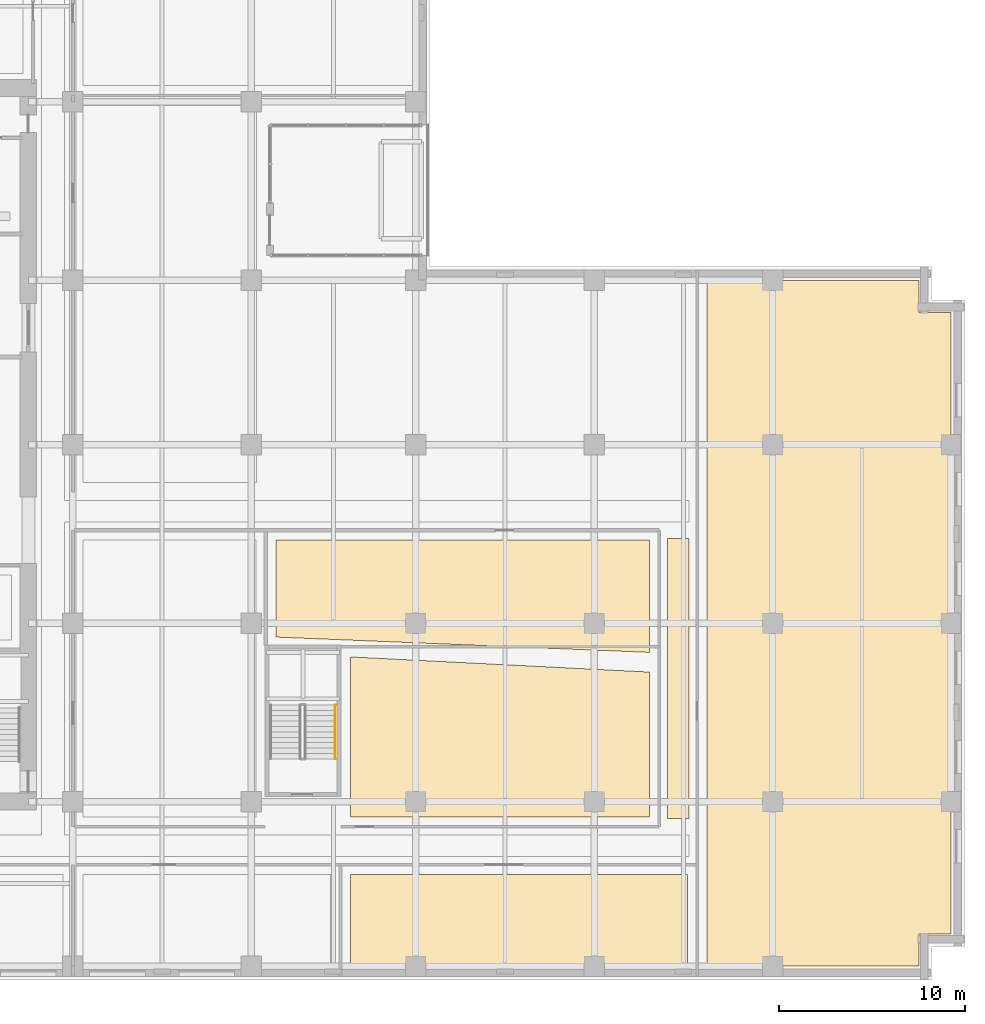
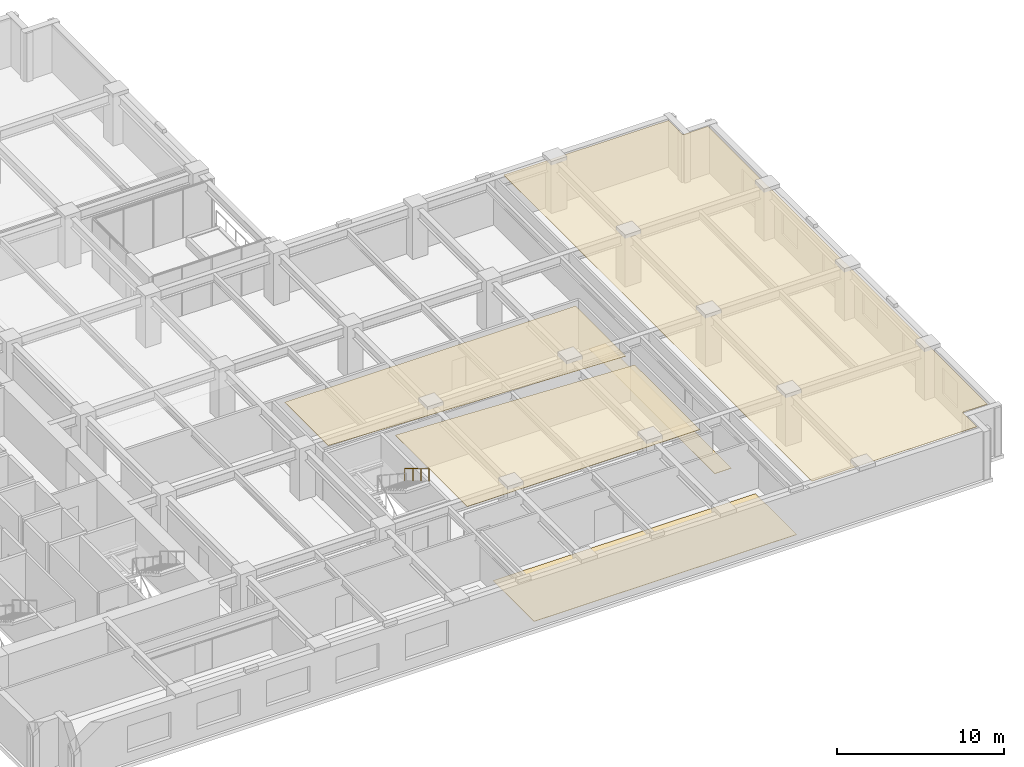
# One storey, part 13 of 16: 5 coverings, 1 railing.
"""IFC4 building model written with IfcOpenShell, lengths in metres."""

import ifcopenshell
import ifcopenshell.guid

model = None  # the IFC model being written
_history = None  # IfcOwnerHistory: only IFC2X3 demands one
_inside = {}  # id of a spatial element -> (the spatial element, [elements in it])
_under = {}  # id of a project, library or spatial element -> (it, [spatial elements below it])
_declared = {}  # id of a project -> (the project, [libraries it declares])
_typed = {}  # id of a type object -> (the type object, [elements of that type])
_made_of = {}  # id of a material, layer set ... -> (it, [elements and type objects made of it])


def new_model(schema):
    """Start an empty IFC model of exactly this schema.

    Asked for "IFC4X3", IfcOpenShell would pick the latest addendum, in which some entities
    have other attributes; the version numbers below select the first issue.
    IFC2X3 requires an IfcOwnerHistory on every rooted entity: one is made here for all.
    """
    global model, _history
    if schema == "IFC4X3":
        model = ifcopenshell.file(schema_version=(4, 3, 0, 0))
    else:
        model = ifcopenshell.file(schema=schema)
    _inside.clear()
    _under.clear()
    _declared.clear()
    _typed.clear()
    _made_of.clear()
    _history = None
    if model.schema == "IFC2X3":
        org = make("IfcOrganization", Name="unknown")
        user = make(
            "IfcPersonAndOrganization",
            ThePerson=make("IfcPerson", FamilyName="unknown"),
            TheOrganization=org,
        )
        app = make(
            "IfcApplication",
            ApplicationDeveloper=org,
            Version="unknown",
            ApplicationFullName="unknown",
            ApplicationIdentifier="unknown",
        )
        _history = make(
            "IfcOwnerHistory",
            OwningUser=user,
            OwningApplication=app,
            ChangeAction="ADDED",
            CreationDate=0,
        )
    return model


def make(cls, **values):
    """One entity of the class cls with the attributes given. An attribute that is None is left unset."""
    return model.create_entity(
        cls, **{name: value for name, value in values.items() if value is not None}
    )


def rooted(cls, **values):
    """An entity with a GlobalId (a new one), such as an element, a storey or a relation."""
    return make(cls, GlobalId=ifcopenshell.guid.new(), OwnerHistory=_history, **values)


def si_unit(unit_type, name, prefix=None):
    """IfcSIUnit, for example si_unit("LENGTHUNIT", "METRE", prefix="MILLI")."""
    return make("IfcSIUnit", UnitType=unit_type, Prefix=prefix, Name=name)


def assignment(units):
    """IfcUnitAssignment: the units of a project."""
    return None if units is None else make("IfcUnitAssignment", Units=units)


def point(xyz):
    """IfcCartesianPoint."""
    return None if xyz is None else make("IfcCartesianPoint", Coordinates=xyz)


def direction(xyz):
    """IfcDirection."""
    return None if xyz is None else make("IfcDirection", DirectionRatios=xyz)


def frame(location, z_axis=None, x_axis=None):
    """IfcAxis2Placement3D, a coordinate frame: its origin and axes. An axis left out is left unset."""
    return make(
        "IfcAxis2Placement3D",
        Location=point(location),
        Axis=direction(z_axis),
        RefDirection=direction(x_axis),
    )


def frame_2d(location, x_axis=None):
    """IfcAxis2Placement2D, a coordinate frame in the plane: its origin and x axis."""
    return make(
        "IfcAxis2Placement2D", Location=point(location), RefDirection=direction(x_axis)
    )


def origin():
    """The frame at (0, 0, 0) with its axes left unset."""
    return frame((0.0, 0.0, 0.0))


def origin_2d():
    """The frame at (0, 0) in the plane with its x axis left unset."""
    return frame_2d((0.0, 0.0))


def place(relative_to, where):
    """IfcLocalPlacement: puts the frame where relative to a parent placement (None: the world)."""
    return make(
        "IfcLocalPlacement", PlacementRelTo=relative_to, RelativePlacement=where
    )


def context(
    kind, dimensions, precision=None, world=None, true_north=None, identifier=None
):
    """IfcGeometricRepresentationContext, for example the 3D "Model" context."""
    return make(
        "IfcGeometricRepresentationContext",
        ContextIdentifier=identifier,
        ContextType=kind,
        CoordinateSpaceDimension=dimensions,
        Precision=precision,
        WorldCoordinateSystem=world,
        TrueNorth=true_north,
    )


def subcontext(parent, identifier, kind, view, scale=None):
    """IfcGeometricRepresentationSubContext, for example "Body" below "Model"."""
    return make(
        "IfcGeometricRepresentationSubContext",
        ContextIdentifier=identifier,
        ContextType=kind,
        ParentContext=parent,
        TargetScale=scale,
        TargetView=view,
    )


def project(units=None, contexts=None):
    """IfcProject with its units and contexts."""
    return rooted(
        "IfcProject",
        Name="project",
        RepresentationContexts=contexts,
        UnitsInContext=assignment(units),
    )


def spatial(cls, under=None, at=None, **own):
    """A site, building, storey or space (cls), placed at a placement, below another one or the project."""
    s = rooted(cls, ObjectPlacement=at, **own)
    if under is not None:
        _under.setdefault(under.id(), (under, []))[1].append(s)
    return s


def polyline(points):
    """IfcPolyline through the points."""
    return make("IfcPolyline", Points=[point(p) for p in points])


def profile(cls, at=None, kind="AREA", **sizes):
    """A parametric profile (cls). Its sizes go by their IFC names, for example OverallWidth=200.0."""
    return make(cls, ProfileType=kind, Position=at, **sizes)


def circle(**sizes):
    """IfcCircleProfileDef."""
    return profile("IfcCircleProfileDef", **sizes)


def outline(outer, holes=None, kind="AREA"):
    """IfcArbitraryClosedProfileDef: a profile drawn as a closed curve; with holes, ...WithVoids."""
    if holes is None:
        return make("IfcArbitraryClosedProfileDef", ProfileType=kind, OuterCurve=outer)
    return make(
        "IfcArbitraryProfileDefWithVoids",
        ProfileType=kind,
        OuterCurve=outer,
        InnerCurves=holes,
    )


def extrude(swept, where, along, depth):
    """IfcExtrudedAreaSolid: the profile swept, set in the frame where, extruded along a direction by depth."""
    return make(
        "IfcExtrudedAreaSolid",
        SweptArea=swept,
        Position=where,
        ExtrudedDirection=direction(along),
        Depth=depth,
    )


def shape(context_of_items, identifier, shape_type, items):
    """IfcShapeRepresentation: the items that make up one representation, for example the "Body"."""
    return make(
        "IfcShapeRepresentation",
        ContextOfItems=context_of_items,
        RepresentationIdentifier=identifier,
        RepresentationType=shape_type,
        Items=items,
    )


def material(Name=None, Category=None):
    """IfcMaterial."""
    return make("IfcMaterial", Name=Name, Category=Category)


def layer(
    of_material, thickness, ventilated=None, Name=None, Category=None, Priority=None
):
    """IfcMaterialLayer: one layer of a wall or slab, of a material (None: an air gap)."""
    return make(
        "IfcMaterialLayer",
        Material=of_material,
        LayerThickness=thickness,
        IsVentilated=ventilated,
        Name=Name,
        Category=Category,
        Priority=Priority,
    )


def layer_set(layers, Name=None):
    """IfcMaterialLayerSet."""
    return make("IfcMaterialLayerSet", MaterialLayers=layers, LayerSetName=Name)


def made_of(thing, what):
    """Note that an element or type object is made of a material, layer set ...; save() writes the relation."""
    if what is not None:
        _made_of.setdefault(what.id(), (what, []))[1].append(thing)
    return thing


def type_object(cls, material=None, **own):
    """A type object (cls), such as IfcWallType, which elements share."""
    return made_of(rooted(cls, **own), material)


def element(
    cls,
    number,
    at=None,
    inside=None,
    cuts=None,
    type_object=None,
    material=None,
    context=None,
    identifier="Body",
    shape_type=None,
    held_by="IfcProductDefinitionShape",
    body=None,
    shapes=None,
    **own,
):
    """One element of the class cls, such as IfcWall. Its Tag is "e" and its number.

    at: its placement. inside: the storey or other place that contains it. cuts: it is an
    opening in that element (IfcRelVoidsElement). A single representation is given by context,
    identifier, shape_type and body (its items); several are given by shapes. held_by: the class
    of the entity that holds the representations. save() writes the other relations.
    """
    e = rooted(cls, Tag="e%d" % number, ObjectPlacement=at, **own)
    if body is not None:
        shapes = [shape(context, identifier, shape_type, body)]
    if shapes is not None:
        e.Representation = make(held_by, Representations=shapes)
    if inside is not None:
        _inside.setdefault(inside.id(), (inside, []))[1].append(e)
    if cuts is not None:
        rooted(
            "IfcRelVoidsElement", RelatingBuildingElement=cuts, RelatedOpeningElement=e
        )
    if type_object is not None:
        _typed.setdefault(type_object.id(), (type_object, []))[1].append(e)
    return made_of(e, material)


def aggregate(whole, parts):
    """IfcRelAggregates: a whole, such as a stair, and the parts it consists of."""
    return rooted("IfcRelAggregates", RelatingObject=whole, RelatedObjects=parts)


def save(model, path):
    """Write the relations noted so far, then the file.

    IfcRelAggregates (storeys below a building ...), IfcRelContainedInSpatialStructure (elements
    in a storey), IfcRelDefinesByType, IfcRelAssociatesMaterial and IfcRelDeclares: one each for
    every whole, place, type object, material and project.
    """
    for whole, parts in _under.values():
        aggregate(whole, parts)
    for where, things in _inside.values():
        rooted(
            "IfcRelContainedInSpatialStructure",
            RelatedElements=things,
            RelatingStructure=where,
        )
    for kind, things in _typed.values():
        rooted("IfcRelDefinesByType", RelatedObjects=things, RelatingType=kind)
    for what, things in _made_of.values():
        rooted("IfcRelAssociatesMaterial", RelatedObjects=things, RelatingMaterial=what)
    for by, libraries in _declared.values():
        rooted("IfcRelDeclares", RelatingContext=by, RelatedDefinitions=libraries)
    model.write(path)


model = new_model("IFC4")

# Units and contexts
model_context = context("Model", 3, precision=1e-05, world=origin(), true_north=direction((0.0, 1.0)))
body_context = subcontext(model_context, "Body", "Model", "MODEL_VIEW")
ifc_project = project(units=[si_unit("LENGTHUNIT", "METRE"), si_unit("AREAUNIT", "SQUARE_METRE"), si_unit("VOLUMEUNIT", "CUBIC_METRE"), si_unit("PLANEANGLEUNIT", "RADIAN"), si_unit("MASSUNIT", "GRAM", prefix="KILO")], contexts=[model_context])

# Site, building, storey
site_placement = place(None, origin())
site = spatial("IfcSite", under=ifc_project, at=site_placement, CompositionType="ELEMENT")
building_placement = place(site_placement, origin())
building = spatial("IfcBuilding", under=site, at=building_placement, Name="Norrvale University Quadrangle", CompositionType="ELEMENT")
storey_placement = place(building_placement, frame((0.0, 0.0, 58.39990234375)))
storey = spatial("IfcBuildingStorey", under=building, at=storey_placement, Name="L14", CompositionType="ELEMENT", Elevation=58.39990234375)

# Coverings
ifc_material_1 = material(Name="Perforated Acoustic Mineral Ceiling")
ifc_layer_1 = layer(ifc_material_1, 0.02490234375, Name="Perforated Acoustic Mineral Ceiling")
ifc_layer_set_1 = layer_set([ifc_layer_1], Name="Perforated Acoustic Mineral Ceiling")
covering_type_1 = type_object("IfcCoveringType", Name="Covering Acoustic Ceiling 25", PredefinedType="CEILING", material=ifc_layer_set_1)
covering_1_placement = place(storey_placement, frame((0.0, 0.0, 3.51513671875)))
element("IfcCovering", 1, at=covering_1_placement, inside=storey, type_object=covering_type_1, Name="Acoustic Ceiling RM-L14-E01", PredefinedType="CEILING", context=body_context, shape_type="SweptSolid", body=[
    extrude(outline(polyline([(53.330078125, 37.64990234375), (64.72998046875, 37.64990234375), (64.72998046875, 35.929931640625), (66.449951171875, 35.929931640625), (66.449951171875, 2.469970703125), (64.72998046875, 2.469970703125), (64.72998046875, 0.75), (53.330078125, 0.75), (53.330078125, 37.64990234375)])), origin(), (0.0, 0.0, 1.0), 0.02490234375),
])
covering_2_placement = place(storey_placement, frame((0.0, 0.0, 3.51513671875)))
element("IfcCovering", 2, at=covering_2_placement, inside=storey, type_object=covering_type_1, Name="Acoustic Ceiling RM-L14-ILH", PredefinedType="CEILING", context=body_context, shape_type="SweptSolid", body=[
    extrude(outline(polyline([(30.1298828125, 18.451904296875), (30.1298828125, 23.669921875), (50.219970703125, 23.669921875), (50.219970703125, 17.62890625), (30.1298828125, 18.451904296875)])), origin(), (0.0, 0.0, 1.0), 0.02490234375),
])
covering_3_placement = place(storey_placement, frame((0.0, 0.0, 3.51513671875)))
element("IfcCovering", 3, at=covering_3_placement, inside=storey, type_object=covering_type_1, Name="Acoustic Ceiling RM-L14-ISE", PredefinedType="CEILING", context=body_context, shape_type="SweptSolid", body=[
    extrude(outline(polyline([(34.14990234375, 8.780029296875), (34.14990234375, 17.386962890625), (50.219970703125, 16.572021484375), (50.219970703125, 8.780029296875), (34.14990234375, 8.780029296875)])), origin(), (0.0, 0.0, 1.0), 0.02490234375),
])
ifc_material_2 = material(Name="Polished Terrazzo Flooring")
ifc_layer_2 = layer(ifc_material_2, 0.02490234375, Name="Polished Terrazzo Flooring")
ifc_layer_set_2 = layer_set([ifc_layer_2], Name="Polished Terrazzo Flooring")
covering_type_2 = type_object("IfcCoveringType", Name="Covering Terrazzo Floor 30", PredefinedType="FLOORING", material=ifc_layer_set_2)
covering_4_placement = place(storey_placement, origin())
element("IfcCovering", 4, at=covering_4_placement, inside=storey, type_object=covering_type_2, Name="Terrazzo Flooring RM-L14-CORR2", PredefinedType="FLOORING", context=body_context, shape_type="SweptSolid", body=[
    extrude(outline(polyline([(51.199951171875, 8.699951171875), (51.199951171875, 23.75), (52.35009765625, 23.75), (52.35009765625, 8.699951171875), (51.199951171875, 8.699951171875)])), origin(), (0.0, 0.0, 1.0), 0.025146484375),
])
covering_5_placement = place(storey_placement, origin())
element("IfcCovering", 5, at=covering_5_placement, inside=storey, type_object=covering_type_2, Name="Terrazzo Flooring RM-L14-S03", PredefinedType="FLOORING", context=body_context, shape_type="SweptSolid", body=[
    extrude(outline(polyline([(52.27001953125, 5.669921875), (52.27001953125, 0.75), (34.1298828125, 0.75), (34.1298828125, 5.669921875), (52.27001953125, 5.669921875)])), origin(), (0.0, 0.0, 1.0), 0.025146484375),
])

# Railing
ifc_material_3 = material(Name="Stainless Steel 316L Handrail", Category="steel")
railing_type = type_object("IfcRailingType", Name="Railing Stair Handrail 920", PredefinedType="HANDRAIL", material=ifc_material_3)
railing_placement = place(storey_placement, frame((33.31005859375, 14.800048828125, 2.07275390625)))
element("IfcRailing", 6, at=railing_placement, inside=storey, type_object=railing_type, Name="Stair Upper Flight Handrail ST-04 L14", PredefinedType="HANDRAIL", context=body_context, shape_type="SweptSolid", body=[
    extrude(circle(Radius=0.02392578125, at=origin_2d()), frame((0.0, 0.0, 0.89599609375), z_axis=(0.0, -0.859160404282, 0.51170636083), x_axis=(1.0, 0.0, 0.0)), (0.0, 0.0, 1.0), 3.37548828125),
    extrude(circle(Radius=0.02099609375, at=origin_2d()), origin(), (0.0, 0.0, 1.0), 0.871826171875),
    extrude(circle(Radius=0.02099609375, at=origin_2d()), frame((0.0, -0.966796875, 0.57568359375)), (0.0, 0.0, 1.0), 0.871826171875),
    extrude(circle(Radius=0.02099609375, at=origin_2d()), frame((0.0, -1.933349609375, 1.151611328125)), (0.0, 0.0, 1.0), 0.871826171875),
    extrude(circle(Radius=0.02099609375, at=origin_2d()), frame((0.0, -2.900146484375, 1.727294921875)), (0.0, 0.0, 1.0), 0.871826171875),
])

save(model, "model.ifc")
